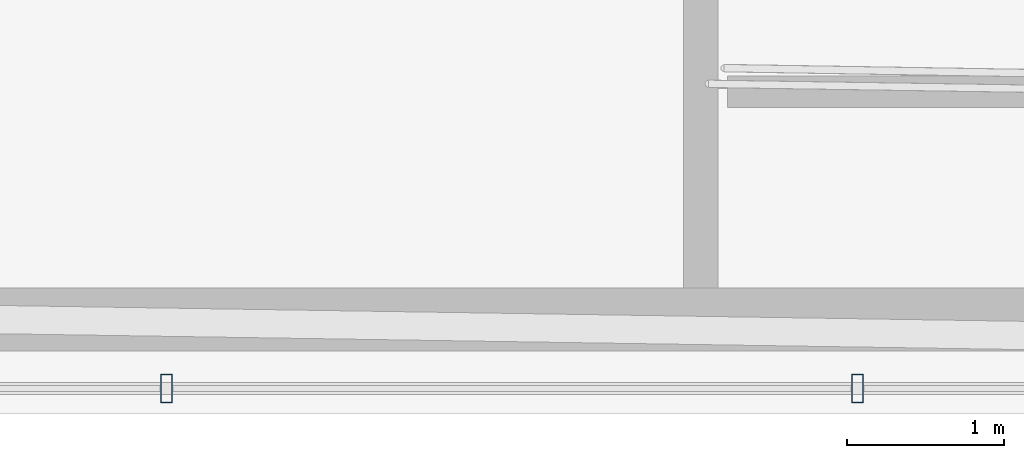
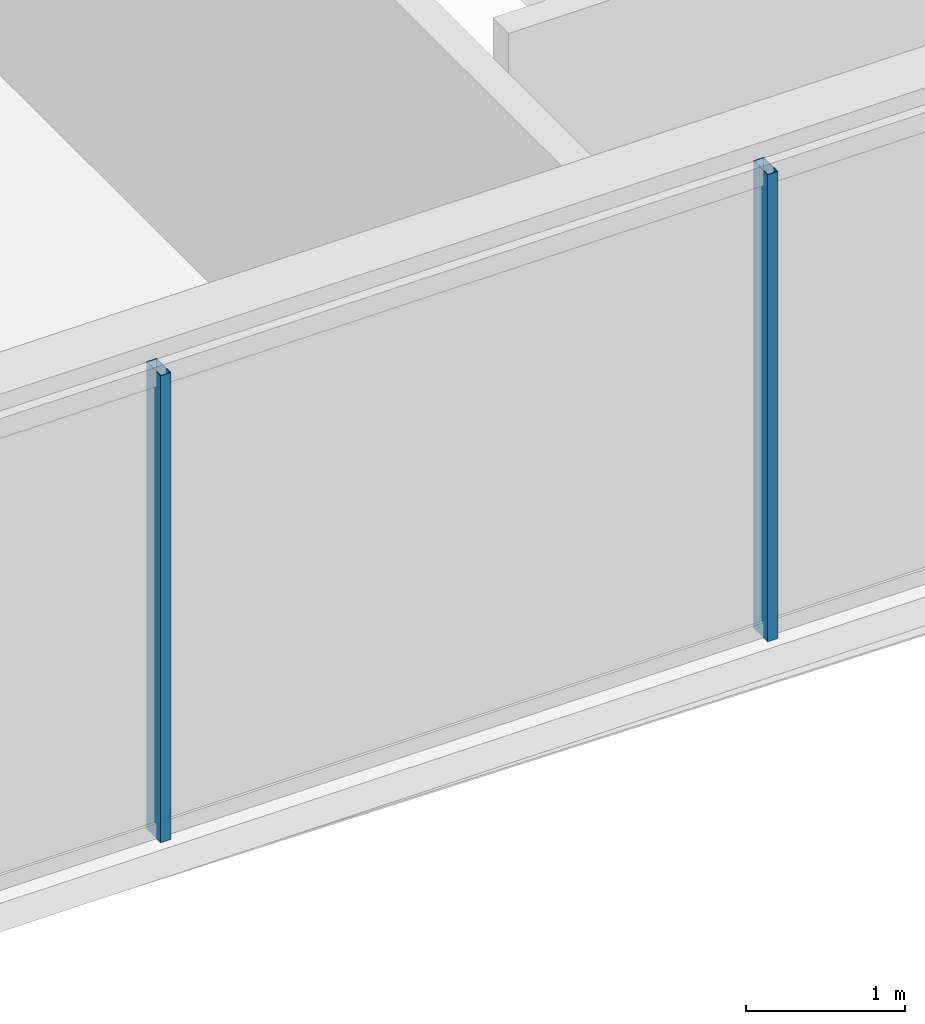
# One storey, part 7 of 32: 2 members, 1 element without a shape of its own.
"""IFC4 building model written with IfcOpenShell, lengths in metres."""

from ifc_helpers import new_model, si_unit, direction, frame, origin, origin_2d, place, context, subcontext, project, spatial, hollow_rectangle, extrude, material, layer, layer_set, material_profile, profile_set, type_object, element, aggregate, save


model = new_model("IFC4")

# Units and contexts
model_context = context("Model", 3, precision=1e-05, world=origin(), true_north=direction((0.0, 1.0)))
body_context = subcontext(model_context, "Body", "Model", "MODEL_VIEW")
ifc_project = project(units=[si_unit("LENGTHUNIT", "METRE"), si_unit("AREAUNIT", "SQUARE_METRE"), si_unit("VOLUMEUNIT", "CUBIC_METRE"), si_unit("PLANEANGLEUNIT", "RADIAN"), si_unit("MASSUNIT", "GRAM", prefix="KILO")], contexts=[model_context])

# Site, building, storey
site_placement = place(None, origin())
site = spatial("IfcSite", under=ifc_project, at=site_placement, CompositionType="ELEMENT")
building_placement = place(site_placement, origin())
building = spatial("IfcBuilding", under=site, at=building_placement, Name="Ndaravel Arena Tower", CompositionType="ELEMENT")
storey_placement = place(building_placement, frame((0.0, 0.0, 259.800048828125)))
storey = spatial("IfcBuildingStorey", under=building, at=storey_placement, Name="L63", CompositionType="ELEMENT", Elevation=259.800048828125)

# Curtain wall, members
ifc_material_1 = material(Name="Aluminium", Category="aluminium")
ifc_layer = layer(ifc_material_1, 0.179931640625)
ifc_layer_set = layer_set([ifc_layer], Name="Aluminium")
curtain_wall_type = type_object("IfcCurtainWallType", Name="CW-SYS-03", PredefinedType="NOTDEFINED", material=ifc_layer_set)
curtain_wall_placement = place(storey_placement, origin())
curtain_wall = element("IfcCurtainWall", 1, at=curtain_wall_placement, inside=storey, type_object=curtain_wall_type, Name="L63 Faceted Crystal Curtain Wall CW-L63-E01", PredefinedType="NOTDEFINED")
ifc_material_2 = material(Name="Aluminium", Category="aluminium")
ifc_material_profile = material_profile(ifc_material_2, hollow_rectangle(XDim=0.074951171875, YDim=0.179931640625, WallThickness=0.00390625, at=origin_2d()), Name="CW MULLION 75x180x4")
ifc_profile_set = profile_set([ifc_material_profile], Name="Aluminium")
member_type = type_object("IfcMemberType", Name="MEM-CW-MUL180", PredefinedType="MULLION", material=ifc_profile_set)
member_1_placement = place(storey_placement, frame((35.39892578125, 5.159912109375, 0.0), z_axis=(0.0, 0.0, 1.0), x_axis=(1.0, 0.0, 0.0)))
member_1 = element("IfcMember", 2, at=member_1_placement, type_object=member_type, Name="CW-L63-E01 Mullion 03", PredefinedType="MULLION", context=body_context, shape_type="SweptSolid", body=[
    extrude(hollow_rectangle(XDim=0.074951171875, YDim=0.179931640625, WallThickness=0.00390625, at=origin_2d()), origin(), (0.0, 0.0, 1.0), 3.579833984375),
])
member_2_placement = place(storey_placement, frame((39.7998046875, 5.159912109375, 0.0), z_axis=(0.0, 0.0, 1.0), x_axis=(1.0, 0.0, 0.0)))
member_2 = element("IfcMember", 3, at=member_2_placement, type_object=member_type, Name="CW-L63-E01 Mullion 04", PredefinedType="MULLION", context=body_context, shape_type="SweptSolid", body=[
    extrude(hollow_rectangle(XDim=0.074951171875, YDim=0.179931640625, WallThickness=0.00390625, at=origin_2d()), origin(), (0.0, 0.0, 1.0), 3.579833984375),
])
aggregate(curtain_wall, [member_1, member_2])

save(model, "model.ifc")
